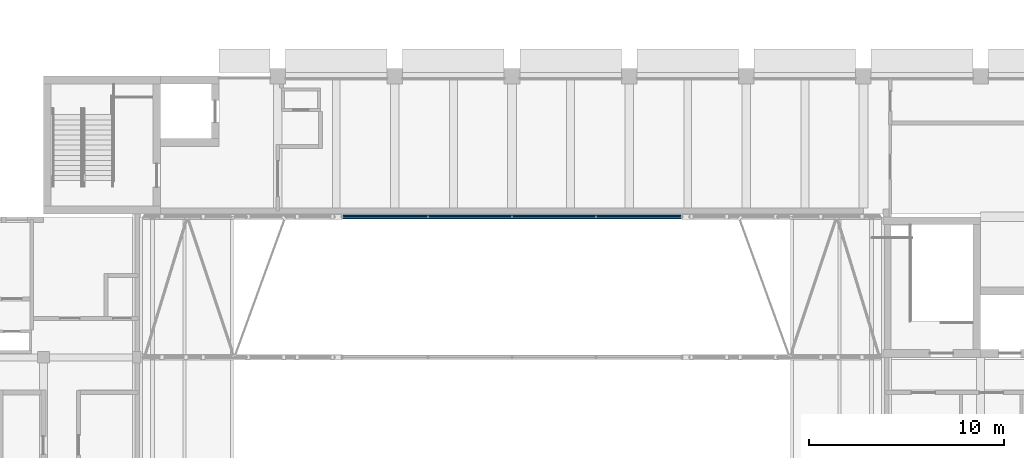
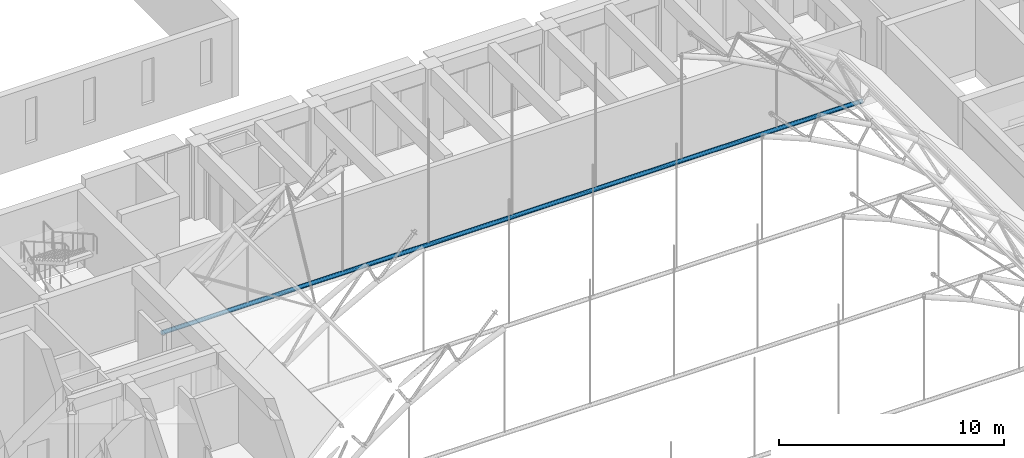
# One storey, part 24 of 101: 1 member.
"""IFC4 building model written with IfcOpenShell, lengths in metres."""

from ifc_helpers import new_model, si_unit, direction, frame, origin, origin_2d, place, context, subcontext, project, spatial, hollow_circle, extrude, material, material_profile, profile_set, type_object, element, save


model = new_model("IFC4")

# Units and contexts
model_context = context("Model", 3, precision=1e-05, world=origin(), true_north=direction((0.0, 1.0)))
body_context = subcontext(model_context, "Body", "Model", "MODEL_VIEW")
ifc_project = project(units=[si_unit("LENGTHUNIT", "METRE"), si_unit("AREAUNIT", "SQUARE_METRE"), si_unit("VOLUMEUNIT", "CUBIC_METRE"), si_unit("PLANEANGLEUNIT", "RADIAN"), si_unit("MASSUNIT", "GRAM", prefix="KILO")], contexts=[model_context])

# Site, building, storey
site_placement = place(None, origin())
site = spatial("IfcSite", under=ifc_project, at=site_placement, CompositionType="ELEMENT")
building_placement = place(site_placement, origin())
building = spatial("IfcBuilding", under=site, at=building_placement, Name="Laocheng Heights Fire and Rescue Headquarters", CompositionType="ELEMENT")
storey_placement = place(building_placement, frame((0.0, 0.0, 8.39990234375)))
storey = spatial("IfcBuildingStorey", under=building, at=storey_placement, Name="L02", CompositionType="ELEMENT", Elevation=8.39990234375)

# Member
ifc_material = material(Name="Steel Q355B", Category="steel")
ifc_material_profile = material_profile(ifc_material, hollow_circle(Radius=0.109619140625, WallThickness=0.010009765625, at=origin_2d()), Name="CHS 219x10")
ifc_profile_set = profile_set([ifc_material_profile], Name="Steel Q355B")
member_type = type_object("IfcMemberType", Name="BAY ROOF TIE CHS 219x10", PredefinedType="CHORD", material=ifc_profile_set)
member_placement = place(storey_placement, frame((18.0, 21.60009765625, 0.0), z_axis=(1.0, 0.0, 0.0), x_axis=(0.0, 1.0, 0.0)))
element("IfcMember", 1, at=member_placement, inside=storey, type_object=member_type, Name="Truss TR4 tie", PredefinedType="CHORD", context=body_context, shape_type="SweptSolid", body=[
    extrude(hollow_circle(Radius=0.109619140625, WallThickness=0.010009765625, at=origin_2d()), origin(), (0.0, 0.0, 1.0), 36.0),
])

save(model, "model.ifc")
